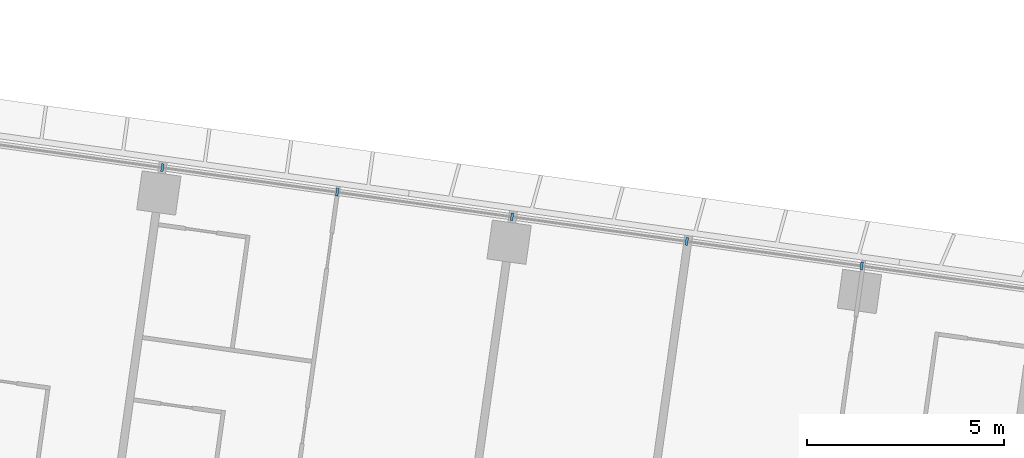
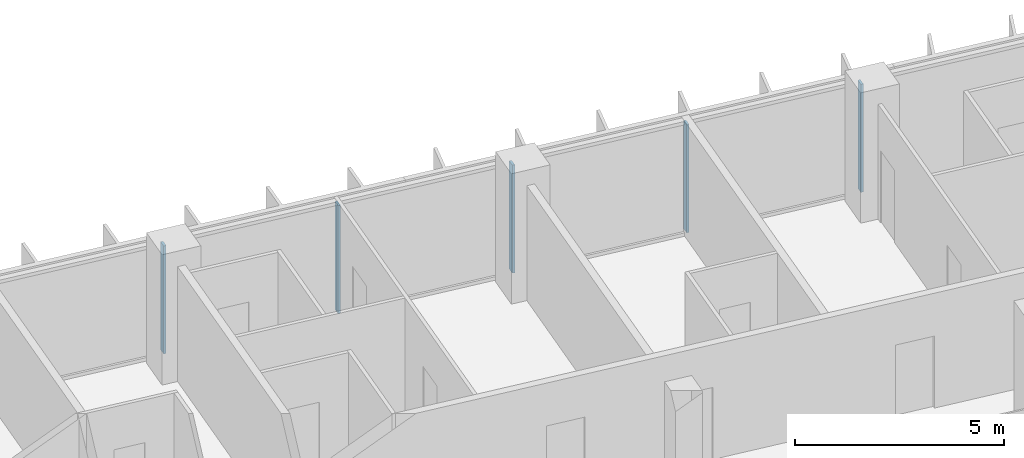
# One storey, part 5 of 25: 5 members, 1 element without a shape of its own.
"""IFC4 building model written with IfcOpenShell, lengths in metres."""

import ifcopenshell
import ifcopenshell.guid

model = None  # the IFC model being written
_history = None  # IfcOwnerHistory: only IFC2X3 demands one
_inside = {}  # id of a spatial element -> (the spatial element, [elements in it])
_under = {}  # id of a project, library or spatial element -> (it, [spatial elements below it])
_declared = {}  # id of a project -> (the project, [libraries it declares])
_typed = {}  # id of a type object -> (the type object, [elements of that type])
_made_of = {}  # id of a material, layer set ... -> (it, [elements and type objects made of it])


def new_model(schema):
    """Start an empty IFC model of exactly this schema.

    Asked for "IFC4X3", IfcOpenShell would pick the latest addendum, in which some entities
    have other attributes; the version numbers below select the first issue.
    IFC2X3 requires an IfcOwnerHistory on every rooted entity: one is made here for all.
    """
    global model, _history
    if schema == "IFC4X3":
        model = ifcopenshell.file(schema_version=(4, 3, 0, 0))
    else:
        model = ifcopenshell.file(schema=schema)
    _inside.clear()
    _under.clear()
    _declared.clear()
    _typed.clear()
    _made_of.clear()
    _history = None
    if model.schema == "IFC2X3":
        org = make("IfcOrganization", Name="unknown")
        user = make(
            "IfcPersonAndOrganization",
            ThePerson=make("IfcPerson", FamilyName="unknown"),
            TheOrganization=org,
        )
        app = make(
            "IfcApplication",
            ApplicationDeveloper=org,
            Version="unknown",
            ApplicationFullName="unknown",
            ApplicationIdentifier="unknown",
        )
        _history = make(
            "IfcOwnerHistory",
            OwningUser=user,
            OwningApplication=app,
            ChangeAction="ADDED",
            CreationDate=0,
        )
    return model


def make(cls, **values):
    """One entity of the class cls with the attributes given. An attribute that is None is left unset."""
    return model.create_entity(
        cls, **{name: value for name, value in values.items() if value is not None}
    )


def rooted(cls, **values):
    """An entity with a GlobalId (a new one), such as an element, a storey or a relation."""
    return make(cls, GlobalId=ifcopenshell.guid.new(), OwnerHistory=_history, **values)


def si_unit(unit_type, name, prefix=None):
    """IfcSIUnit, for example si_unit("LENGTHUNIT", "METRE", prefix="MILLI")."""
    return make("IfcSIUnit", UnitType=unit_type, Prefix=prefix, Name=name)


def assignment(units):
    """IfcUnitAssignment: the units of a project."""
    return None if units is None else make("IfcUnitAssignment", Units=units)


def point(xyz):
    """IfcCartesianPoint."""
    return None if xyz is None else make("IfcCartesianPoint", Coordinates=xyz)


def direction(xyz):
    """IfcDirection."""
    return None if xyz is None else make("IfcDirection", DirectionRatios=xyz)


def frame(location, z_axis=None, x_axis=None):
    """IfcAxis2Placement3D, a coordinate frame: its origin and axes. An axis left out is left unset."""
    return make(
        "IfcAxis2Placement3D",
        Location=point(location),
        Axis=direction(z_axis),
        RefDirection=direction(x_axis),
    )


def frame_2d(location, x_axis=None):
    """IfcAxis2Placement2D, a coordinate frame in the plane: its origin and x axis."""
    return make(
        "IfcAxis2Placement2D", Location=point(location), RefDirection=direction(x_axis)
    )


def origin():
    """The frame at (0, 0, 0) with its axes left unset."""
    return frame((0.0, 0.0, 0.0))


def origin_2d():
    """The frame at (0, 0) in the plane with its x axis left unset."""
    return frame_2d((0.0, 0.0))


def place(relative_to, where):
    """IfcLocalPlacement: puts the frame where relative to a parent placement (None: the world)."""
    return make(
        "IfcLocalPlacement", PlacementRelTo=relative_to, RelativePlacement=where
    )


def context(
    kind, dimensions, precision=None, world=None, true_north=None, identifier=None
):
    """IfcGeometricRepresentationContext, for example the 3D "Model" context."""
    return make(
        "IfcGeometricRepresentationContext",
        ContextIdentifier=identifier,
        ContextType=kind,
        CoordinateSpaceDimension=dimensions,
        Precision=precision,
        WorldCoordinateSystem=world,
        TrueNorth=true_north,
    )


def subcontext(parent, identifier, kind, view, scale=None):
    """IfcGeometricRepresentationSubContext, for example "Body" below "Model"."""
    return make(
        "IfcGeometricRepresentationSubContext",
        ContextIdentifier=identifier,
        ContextType=kind,
        ParentContext=parent,
        TargetScale=scale,
        TargetView=view,
    )


def project(units=None, contexts=None):
    """IfcProject with its units and contexts."""
    return rooted(
        "IfcProject",
        Name="project",
        RepresentationContexts=contexts,
        UnitsInContext=assignment(units),
    )


def spatial(cls, under=None, at=None, **own):
    """A site, building, storey or space (cls), placed at a placement, below another one or the project."""
    s = rooted(cls, ObjectPlacement=at, **own)
    if under is not None:
        _under.setdefault(under.id(), (under, []))[1].append(s)
    return s


def profile(cls, at=None, kind="AREA", **sizes):
    """A parametric profile (cls). Its sizes go by their IFC names, for example OverallWidth=200.0."""
    return make(cls, ProfileType=kind, Position=at, **sizes)


def rectangle(**sizes):
    """IfcRectangleProfileDef."""
    return profile("IfcRectangleProfileDef", **sizes)


def extrude(swept, where, along, depth):
    """IfcExtrudedAreaSolid: the profile swept, set in the frame where, extruded along a direction by depth."""
    return make(
        "IfcExtrudedAreaSolid",
        SweptArea=swept,
        Position=where,
        ExtrudedDirection=direction(along),
        Depth=depth,
    )


def shape(context_of_items, identifier, shape_type, items):
    """IfcShapeRepresentation: the items that make up one representation, for example the "Body"."""
    return make(
        "IfcShapeRepresentation",
        ContextOfItems=context_of_items,
        RepresentationIdentifier=identifier,
        RepresentationType=shape_type,
        Items=items,
    )


def material(Name=None, Category=None):
    """IfcMaterial."""
    return make("IfcMaterial", Name=Name, Category=Category)


def material_profile(
    of_material, cross_section, Name=None, Category=None, Priority=None
):
    """IfcMaterialProfile: a cross section and its material."""
    return make(
        "IfcMaterialProfile",
        Name=Name,
        Material=of_material,
        Profile=cross_section,
        Priority=Priority,
        Category=Category,
    )


def profile_set(profiles, Name=None, composite=None):
    """IfcMaterialProfileSet."""
    return make(
        "IfcMaterialProfileSet",
        Name=Name,
        MaterialProfiles=profiles,
        CompositeProfile=composite,
    )


def made_of(thing, what):
    """Note that an element or type object is made of a material, layer set ...; save() writes the relation."""
    if what is not None:
        _made_of.setdefault(what.id(), (what, []))[1].append(thing)
    return thing


def type_object(cls, material=None, **own):
    """A type object (cls), such as IfcWallType, which elements share."""
    return made_of(rooted(cls, **own), material)


def element(
    cls,
    number,
    at=None,
    inside=None,
    cuts=None,
    type_object=None,
    material=None,
    context=None,
    identifier="Body",
    shape_type=None,
    held_by="IfcProductDefinitionShape",
    body=None,
    shapes=None,
    **own,
):
    """One element of the class cls, such as IfcWall. Its Tag is "e" and its number.

    at: its placement. inside: the storey or other place that contains it. cuts: it is an
    opening in that element (IfcRelVoidsElement). A single representation is given by context,
    identifier, shape_type and body (its items); several are given by shapes. held_by: the class
    of the entity that holds the representations. save() writes the other relations.
    """
    e = rooted(cls, Tag="e%d" % number, ObjectPlacement=at, **own)
    if body is not None:
        shapes = [shape(context, identifier, shape_type, body)]
    if shapes is not None:
        e.Representation = make(held_by, Representations=shapes)
    if inside is not None:
        _inside.setdefault(inside.id(), (inside, []))[1].append(e)
    if cuts is not None:
        rooted(
            "IfcRelVoidsElement", RelatingBuildingElement=cuts, RelatedOpeningElement=e
        )
    if type_object is not None:
        _typed.setdefault(type_object.id(), (type_object, []))[1].append(e)
    return made_of(e, material)


def aggregate(whole, parts):
    """IfcRelAggregates: a whole, such as a stair, and the parts it consists of."""
    return rooted("IfcRelAggregates", RelatingObject=whole, RelatedObjects=parts)


def save(model, path):
    """Write the relations noted so far, then the file.

    IfcRelAggregates (storeys below a building ...), IfcRelContainedInSpatialStructure (elements
    in a storey), IfcRelDefinesByType, IfcRelAssociatesMaterial and IfcRelDeclares: one each for
    every whole, place, type object, material and project.
    """
    for whole, parts in _under.values():
        aggregate(whole, parts)
    for where, things in _inside.values():
        rooted(
            "IfcRelContainedInSpatialStructure",
            RelatedElements=things,
            RelatingStructure=where,
        )
    for kind, things in _typed.values():
        rooted("IfcRelDefinesByType", RelatedObjects=things, RelatingType=kind)
    for what, things in _made_of.values():
        rooted("IfcRelAssociatesMaterial", RelatedObjects=things, RelatingMaterial=what)
    for by, libraries in _declared.values():
        rooted("IfcRelDeclares", RelatingContext=by, RelatedDefinitions=libraries)
    model.write(path)


model = new_model("IFC4")

# Units and contexts
model_context = context("Model", 3, precision=1e-05, world=origin(), true_north=direction((0.0, 1.0)))
body_context = subcontext(model_context, "Body", "Model", "MODEL_VIEW")
ifc_project = project(units=[si_unit("LENGTHUNIT", "METRE"), si_unit("AREAUNIT", "SQUARE_METRE"), si_unit("VOLUMEUNIT", "CUBIC_METRE"), si_unit("PLANEANGLEUNIT", "RADIAN"), si_unit("MASSUNIT", "GRAM", prefix="KILO")], contexts=[model_context])

# Site, building, storey
site_placement = place(None, origin())
site = spatial("IfcSite", under=ifc_project, at=site_placement, CompositionType="ELEMENT")
building_placement = place(site_placement, origin())
building = spatial("IfcBuilding", under=site, at=building_placement, Name="Mirante Cascada Hotel Towers", CompositionType="ELEMENT")
storey_placement = place(building_placement, frame((0.0, 0.0, 54.7)))
storey = spatial("IfcBuildingStorey", under=building, at=storey_placement, Name="L10", CompositionType="ELEMENT", Elevation=54.7)

# Curtain wall, members
ifc_material_1 = material(Name="Aluminium mullion and transom frame with clear laminated glass", Category="aluminium")
curtain_wall_type = type_object("IfcCurtainWallType", Name="Ribbon curtain wall ECW1", PredefinedType="NOTDEFINED", material=ifc_material_1)
curtain_wall_placement = place(storey_placement, origin())
curtain_wall = element("IfcCurtainWall", 1, at=curtain_wall_placement, inside=storey, type_object=curtain_wall_type, Name="Front ribbon wall T1 L10", PredefinedType="NOTDEFINED")
ifc_material_2 = material(Name="Anodised aluminium extrusion", Category="aluminium")
ifc_material_profile = material_profile(ifc_material_2, rectangle(XDim=0.2, YDim=0.065, at=origin_2d()), Name="ECW1 MULLION 65x200")
ifc_profile_set = profile_set([ifc_material_profile], Name="Anodised aluminium extrusion")
member_type = type_object("IfcMemberType", Name="ECW1 mullion 65x200", PredefinedType="MULLION", material=ifc_profile_set)
member_1_placement = place(storey_placement, frame((-63.0262, 21.6768, 0.1), z_axis=(0.0, 0.0, 1.0), x_axis=(0.1391731, 0.9902681, 0.0)))
member_1 = element("IfcMember", 2, at=member_1_placement, type_object=member_type, Name="ECW1 mullion 8", PredefinedType="MULLION", context=body_context, shape_type="SweptSolid", body=[
    extrude(rectangle(XDim=0.2, YDim=0.065, at=origin_2d()), origin(), (0.0, 0.0, 1.0), 3.15),
])
member_2_placement = place(storey_placement, frame((-58.5788, 21.0517, 0.1), z_axis=(0.0, 0.0, 1.0), x_axis=(0.1391731, 0.9902681, 0.0)))
member_2 = element("IfcMember", 3, at=member_2_placement, type_object=member_type, Name="ECW1 mullion 9", PredefinedType="MULLION", context=body_context, shape_type="SweptSolid", body=[
    extrude(rectangle(XDim=0.2, YDim=0.065, at=origin_2d()), origin(), (0.0, 0.0, 1.0), 3.15),
])
member_3_placement = place(storey_placement, frame((-54.1314, 20.4267, 0.1), z_axis=(0.0, 0.0, 1.0), x_axis=(0.1391731, 0.9902681, 0.0)))
member_3 = element("IfcMember", 4, at=member_3_placement, type_object=member_type, Name="ECW1 mullion 10", PredefinedType="MULLION", context=body_context, shape_type="SweptSolid", body=[
    extrude(rectangle(XDim=0.2, YDim=0.065, at=origin_2d()), origin(), (0.0, 0.0, 1.0), 3.15),
])
member_4_placement = place(storey_placement, frame((-49.684, 19.8017, 0.1), z_axis=(0.0, 0.0, 1.0), x_axis=(0.1391731, 0.9902681, 0.0)))
member_4 = element("IfcMember", 5, at=member_4_placement, type_object=member_type, Name="ECW1 mullion 11", PredefinedType="MULLION", context=body_context, shape_type="SweptSolid", body=[
    extrude(rectangle(XDim=0.2, YDim=0.065, at=origin_2d()), origin(), (0.0, 0.0, 1.0), 3.15),
])
member_5_placement = place(storey_placement, frame((-45.2366, 19.1766, 0.1), z_axis=(0.0, 0.0, 1.0), x_axis=(0.1391731, 0.9902681, 0.0)))
member_5 = element("IfcMember", 6, at=member_5_placement, type_object=member_type, Name="ECW1 mullion 12", PredefinedType="MULLION", context=body_context, shape_type="SweptSolid", body=[
    extrude(rectangle(XDim=0.2, YDim=0.065, at=origin_2d()), origin(), (0.0, 0.0, 1.0), 3.15),
])
aggregate(curtain_wall, [member_1, member_2, member_3, member_4, member_5])

save(model, "model.ifc")
